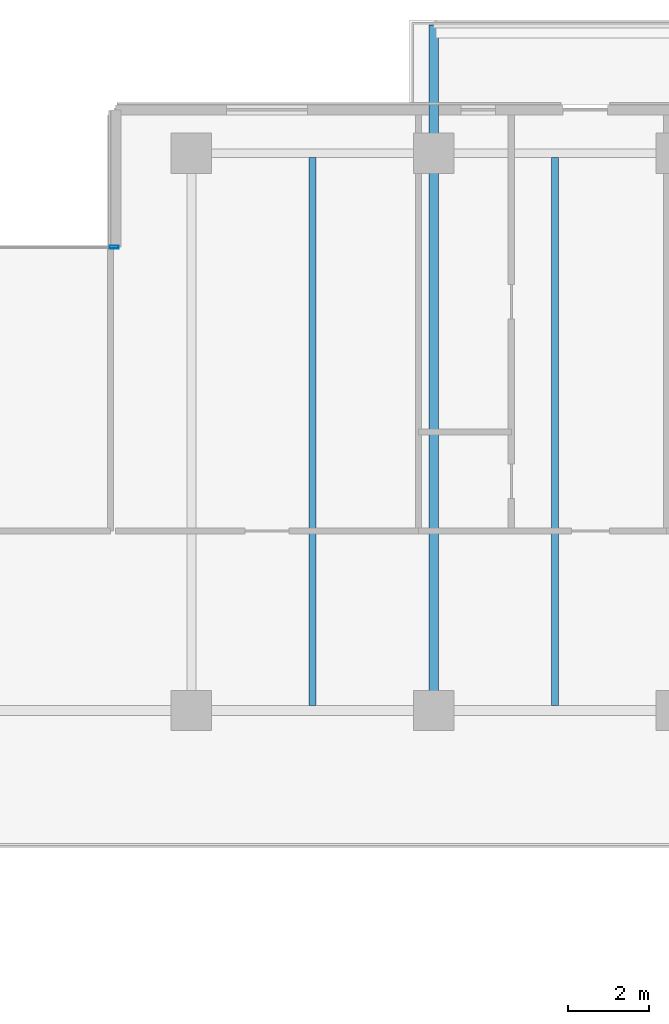
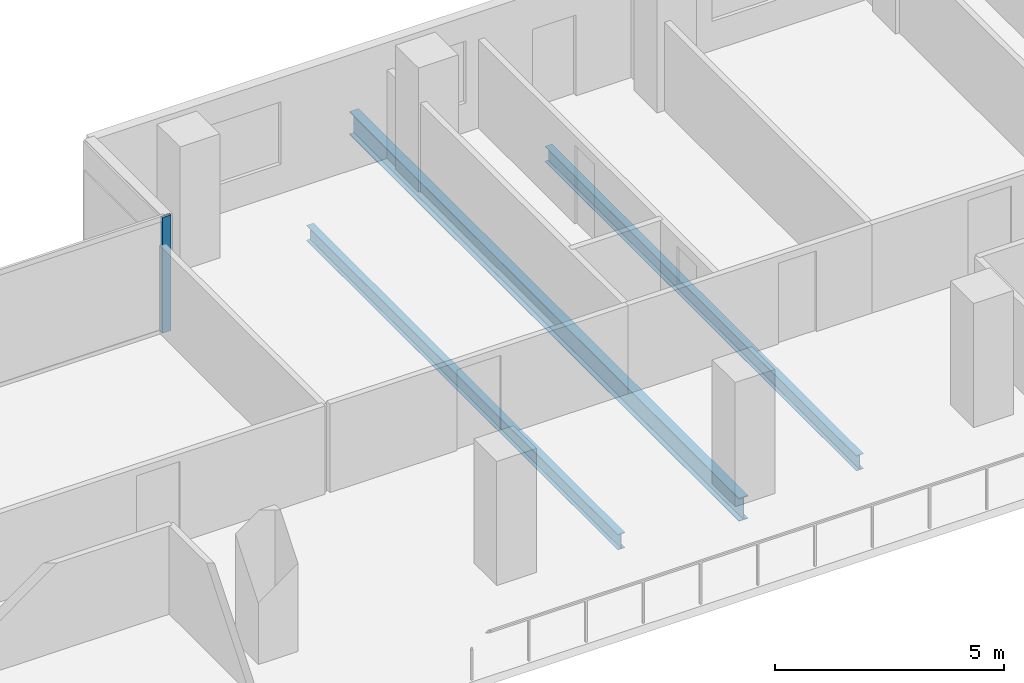
# One storey, part 8 of 23: 3 beams, 1 member, 1 element without a shape of its own.
"""IFC4 building model written with IfcOpenShell, lengths in metres."""

from ifc_helpers import new_model, si_unit, direction, frame, origin, origin_2d, place, context, subcontext, project, spatial, hollow_rectangle, i_section, extrude, material, layer, layer_set, material_profile, profile_set, type_object, element, aggregate, save


model = new_model("IFC4")

# Units and contexts
model_context = context("Model", 3, precision=1e-05, world=origin(), true_north=direction((0.0, 1.0)))
body_context = subcontext(model_context, "Body", "Model", "MODEL_VIEW")
ifc_project = project(units=[si_unit("LENGTHUNIT", "METRE"), si_unit("AREAUNIT", "SQUARE_METRE"), si_unit("VOLUMEUNIT", "CUBIC_METRE"), si_unit("PLANEANGLEUNIT", "RADIAN"), si_unit("MASSUNIT", "GRAM", prefix="KILO")], contexts=[model_context])

# Site, building, storey
site_placement = place(None, origin())
site = spatial("IfcSite", under=ifc_project, at=site_placement, CompositionType="ELEMENT")
building_placement = place(site_placement, origin())
building = spatial("IfcBuilding", under=site, at=building_placement, Name="Tanjung Sevakor Pilgrim Tower", CompositionType="ELEMENT")
storey_placement = place(building_placement, frame((0.0, 0.0, 101.969970703125)))
storey = spatial("IfcBuildingStorey", under=building, at=storey_placement, Name="L28", CompositionType="ELEMENT", Elevation=101.969970703125)

# Beams
ifc_material_1 = material(Name="Steel S355J2", Category="steel")
ifc_material_profile_1 = material_profile(ifc_material_1, i_section(OverallWidth=0.230224609375, OverallDepth=0.6171875, WebThickness=0.01318359375, FlangeThickness=0.022216796875, FilletRadius=0.0126953125, at=origin_2d()))
ifc_profile_set_1 = profile_set([ifc_material_profile_1], Name="Steel S355J2")
beam_type_1 = type_object("IfcBeamType", Name="BM-B-G3-UB_610x229x140", PredefinedType="BEAM", material=ifc_profile_set_1)
beam_placement = place(storey_placement, frame((60.0, 42.60009765625, -0.528564453125), z_axis=(0.0, 1.0, 0.0), x_axis=(-1.0, 0.0, 0.0)))
element("IfcBeam", 1, at=beam_placement, inside=storey, type_object=beam_type_1, Name="L28 Balcony Cantilever Beam MAIN-N2-1", PredefinedType="BEAM", context=body_context, shape_type="SweptSolid", body=[
    extrude(i_section(OverallWidth=0.230224609375, OverallDepth=0.6171875, WebThickness=0.01318359375, FlangeThickness=0.022216796875, FilletRadius=0.0126953125, at=origin_2d()), origin(), (0.0, 0.0, 1.0), 16.97998046875),
])
ifc_material_2 = material(Name="Steel S355J2", Category="steel")
ifc_material_profile_2 = material_profile(ifc_material_2, i_section(OverallWidth=0.1787109375, OverallDepth=0.409423828125, WebThickness=0.0087890625, FlangeThickness=0.014404296875, FilletRadius=0.01025390625, at=origin_2d()))
ifc_profile_set_2 = profile_set([ifc_material_profile_2], Name="Steel S355J2")
beam_type_2 = type_object("IfcBeamType", Name="BM-B-J3-UB_406x178x67", PredefinedType="JOIST", material=ifc_profile_set_2)
for number, where, z_axis, x_axis, name in (
    (2, (57.0, 42.727294921875, -0.424560546875), (0.0, 1.0, 0.0), (-1.0, 0.0, 0.0), "L28 MAIN Joist 015"),
    (3, (63.0, 42.727294921875, -0.424560546875), (0.0, 1.0, 0.0), (-1.0, 0.0, 0.0), "L28 MAIN Joist 017"),
):
    element("IfcBeam", number, at=place(storey_placement, frame(where, z_axis=z_axis, x_axis=x_axis)), inside=storey, type_object=beam_type_2, Name=name, PredefinedType="JOIST", context=body_context, shape_type="SweptSolid", body=[
        extrude(i_section(OverallWidth=0.1787109375, OverallDepth=0.409423828125, WebThickness=0.0087890625, FlangeThickness=0.014404296875, FilletRadius=0.01025390625, at=origin_2d()), origin(), (0.0, 0.0, 1.0), 13.57275390625),
    ])

# Curtain wall, member
ifc_material_3 = material(Name="Aluminium 6063-T6 and Low-E Glass", Category="aluminium")
ifc_layer = layer(ifc_material_3, 0.179931640625)
ifc_layer_set = layer_set([ifc_layer], Name="CW-SYS-CLEFT")
curtain_wall_type = type_object("IfcCurtainWallType", Name="CW-SYS-CLEFT", PredefinedType="NOTDEFINED", material=ifc_layer_set)
curtain_wall_placement = place(storey_placement, origin())
curtain_wall = element("IfcCurtainWall", 4, at=curtain_wall_placement, inside=storey, type_object=curtain_wall_type, Name="L28 Curtain Wall CW-CLF-L28-10", PredefinedType="NOTDEFINED")
ifc_material_4 = material(Name="Aluminium 6063-T6", Category="aluminium")
ifc_material_profile_3 = material_profile(ifc_material_4, hollow_rectangle(XDim=0.074951171875, YDim=0.219970703125, WallThickness=0.0048828125, at=origin_2d()))
ifc_profile_set_3 = profile_set([ifc_material_profile_3], Name="Aluminium 6063-T6")
member_type = type_object("IfcMemberType", Name="TYPE-CWM-2", PredefinedType="MULLION", material=ifc_profile_set_3)
member_placement = place(storey_placement, frame((52.08740234375, 54.074951171875, 0.0), z_axis=(0.0, 0.0, 1.0), x_axis=(0.0, -1.0, 0.0)))
member = element("IfcMember", 5, at=member_placement, type_object=member_type, Name="CW-CLF mullion 1", PredefinedType="MULLION", context=body_context, shape_type="SweptSolid", body=[
    extrude(hollow_rectangle(XDim=0.074951171875, YDim=0.219970703125, WallThickness=0.0048828125, at=origin_2d()), origin(), (0.0, 0.0, 1.0), 3.080078125),
])
aggregate(curtain_wall, [member])

save(model, "model.ifc")
